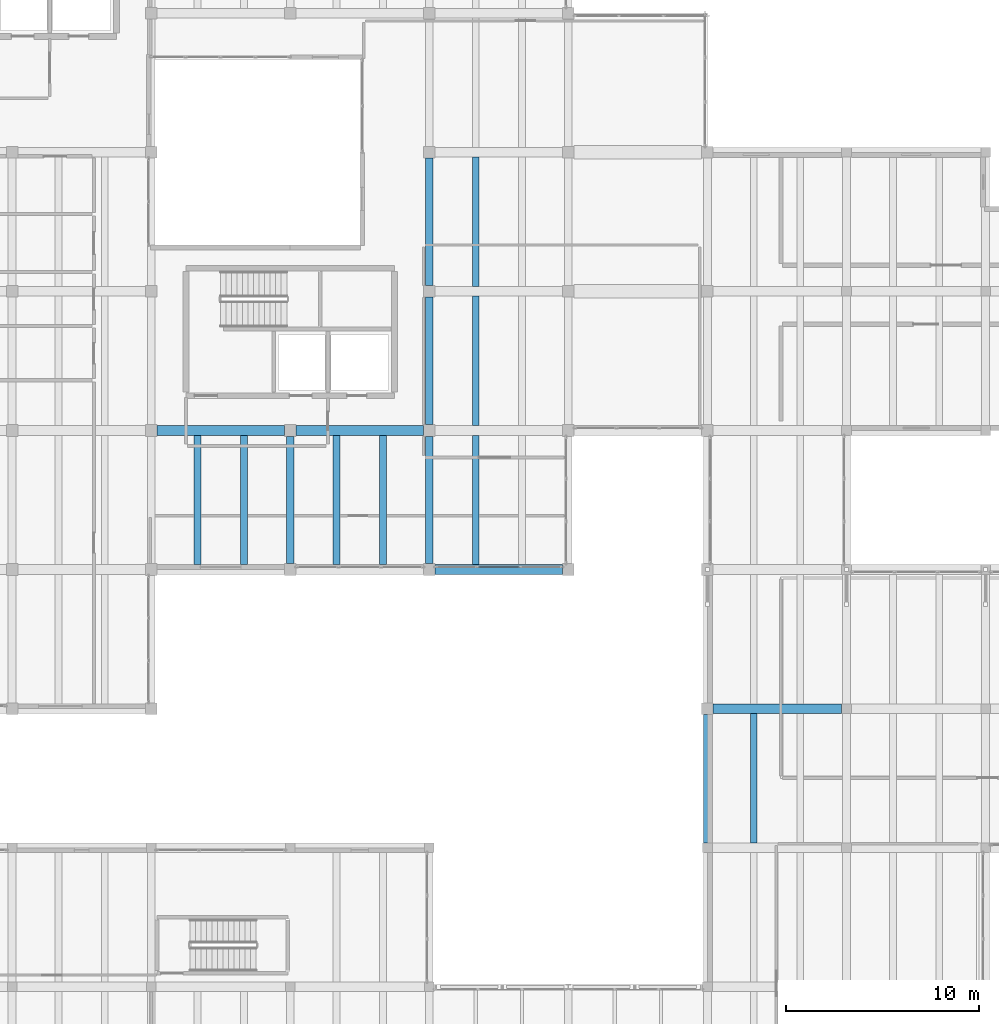
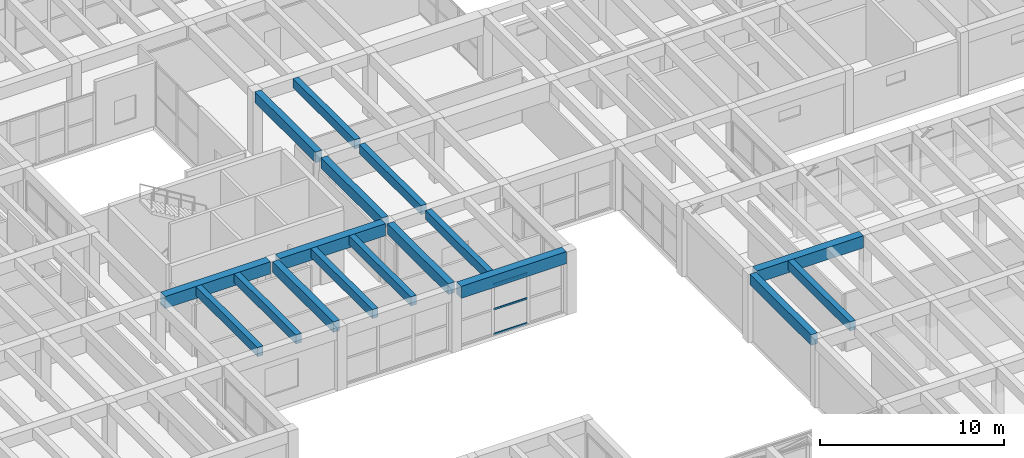
# One storey, part 67 of 153: 17 beams, 3 members, 1 element without a shape of its own.
"""IFC4 building model written with IfcOpenShell, lengths in metres."""

from ifc_helpers import new_model, si_unit, direction, frame, origin, origin_2d, place, context, subcontext, project, spatial, rectangle, hollow_rectangle, extrude, material, material_profile, profile_set, type_object, element, aggregate, save


model = new_model("IFC4")

# Units and contexts
model_context = context("Model", 3, precision=1e-05, world=origin(), true_north=direction((0.0, 1.0)))
body_context = subcontext(model_context, "Body", "Model", "MODEL_VIEW")
ifc_project = project(units=[si_unit("LENGTHUNIT", "METRE"), si_unit("AREAUNIT", "SQUARE_METRE"), si_unit("VOLUMEUNIT", "CUBIC_METRE"), si_unit("PLANEANGLEUNIT", "RADIAN"), si_unit("MASSUNIT", "GRAM", prefix="KILO")], contexts=[model_context])

# Site, building, storey
site_placement = place(None, origin())
site = spatial("IfcSite", under=ifc_project, at=site_placement, CompositionType="ELEMENT")
building_placement = place(site_placement, origin())
building = spatial("IfcBuilding", under=site, at=building_placement, Name="Bramvelor Terrace Health Centre", CompositionType="ELEMENT")
storey_placement = place(building_placement, frame((0.0, 0.0, 4.800048828125)))
storey = spatial("IfcBuildingStorey", under=building, at=storey_placement, Name="L02", CompositionType="ELEMENT", Elevation=4.800048828125)

# Beams
ifc_material_1 = material(Name="Concrete C40/50", Category="concrete")
ifc_material_profile_1 = material_profile(ifc_material_1, rectangle(XDim=0.39990234375, YDim=0.699951171875, at=origin_2d()), Name="RC 400x700")
ifc_profile_set_1 = profile_set([ifc_material_profile_1], Name="Concrete C40/50")
beam_type_1 = type_object("IfcBeamType", Name="BM-RC-G700", PredefinedType="BEAM", material=ifc_profile_set_1)
for number, where, z_axis, x_axis, name in (
    (1, (21.60009765625, 79.5, 3.849853515625), (0.0, 1.0, 0.0), (-1.0, 0.0, 0.0), "L02 Floor Girder"),
    (2, (28.800048828125, 79.5, 3.849853515625), (0.0, 1.0, 0.0), (-1.0, 0.0, 0.0), "L02 Floor Girder"),
    (3, (28.800048828125, 86.699951171875, 3.849853515625), (0.0, 1.0, 0.0), (-1.0, 0.0, 0.0), "L02 Floor Girder"),
    (4, (28.800048828125, 93.89990234375, 3.849853515625), (0.0, 1.0, 0.0), (-1.0, 0.0, 0.0), "L02 Floor Girder"),
):
    element("IfcBeam", number, at=place(storey_placement, frame(where, z_axis=z_axis, x_axis=x_axis)), inside=storey, type_object=beam_type_1, Name=name, PredefinedType="BEAM", context=body_context, shape_type="SweptSolid", body=[
        extrude(rectangle(XDim=0.39990234375, YDim=0.699951171875, at=origin_2d()), origin(), (0.0, 0.0, 1.0), 6.60009765625),
    ])
beam_1_placement = place(storey_placement, frame((43.199951171875, 65.050048828125, 4.199951171875), z_axis=(0.0, 1.0, 0.0), x_axis=(-1.0, 0.0, 0.0)))
element("IfcBeam", 5, at=beam_1_placement, inside=storey, type_object=beam_type_1, Name="L02 Floor Girder", PredefinedType="BEAM", context=body_context, shape_type="SweptSolid", body=[
    extrude(rectangle(XDim=0.39990234375, YDim=0.699951171875, at=origin_2d()), origin(), (0.0, 0.0, 1.0), 6.64990234375),
])
ifc_material_2 = material(Name="Concrete C40/50", Category="concrete")
ifc_material_profile_2 = material_profile(ifc_material_2, rectangle(XDim=0.5, YDim=0.800048828125, at=origin_2d()), Name="RC 500x800")
ifc_profile_set_2 = profile_set([ifc_material_profile_2], Name="Concrete C40/50")
beam_type_2 = type_object("IfcBeamType", Name="BM-RC-G800", PredefinedType="BEAM", material=ifc_profile_set_2)
for number, where, z_axis, x_axis, name in (
    (6, (14.699951171875, 86.39990234375, 3.800048828125), (1.0, 0.0, 0.0), (0.0, 1.0, 0.0), "L02 Floor Girder"),
    (7, (21.89990234375, 86.39990234375, 3.800048828125), (1.0, 0.0, 0.0), (0.0, 1.0, 0.0), "L02 Floor Girder"),
):
    element("IfcBeam", number, at=place(storey_placement, frame(where, z_axis=z_axis, x_axis=x_axis)), inside=storey, type_object=beam_type_2, Name=name, PredefinedType="BEAM", context=body_context, shape_type="SweptSolid", body=[
        extrude(rectangle(XDim=0.5, YDim=0.800048828125, at=origin_2d()), origin(), (0.0, 0.0, 1.0), 6.60009765625),
    ])
beam_2_placement = place(storey_placement, frame((29.10009765625, 79.199951171875, 3.800048828125), z_axis=(1.0, 0.0, 0.0), x_axis=(0.0, 1.0, 0.0)))
element("IfcBeam", 8, at=beam_2_placement, inside=storey, type_object=beam_type_2, Name="L02 Floor Girder", PredefinedType="BEAM", context=body_context, shape_type="SweptSolid", body=[
    extrude(rectangle(XDim=0.5, YDim=0.800048828125, at=origin_2d()), origin(), (0.0, 0.0, 1.0), 6.599853515625),
])
beam_3_placement = place(storey_placement, frame((43.5, 72.0, 4.14990234375), z_axis=(1.0, 0.0, 0.0), x_axis=(0.0, 1.0, 0.0)))
element("IfcBeam", 9, at=beam_3_placement, inside=storey, type_object=beam_type_2, Name="L02 Floor Girder", PredefinedType="BEAM", context=body_context, shape_type="SweptSolid", body=[
    extrude(rectangle(XDim=0.5, YDim=0.800048828125, at=origin_2d()), origin(), (0.0, 0.0, 1.0), 6.64990234375),
])
ifc_material_3 = material(Name="Concrete C40/50", Category="concrete")
ifc_material_profile_3 = material_profile(ifc_material_3, rectangle(XDim=0.35009765625, YDim=0.60009765625, at=origin_2d()), Name="RC 350x600")
ifc_profile_set_3 = profile_set([ifc_material_profile_3], Name="Concrete C40/50")
beam_type_3 = type_object("IfcBeamType", Name="BM-RC-J600", PredefinedType="JOIST", material=ifc_profile_set_3)
for number, where, z_axis, x_axis, name in (
    (10, (16.800048828125, 79.449951171875, 3.89990234375), (0.0, 1.0, 0.0), (-1.0, 0.0, 0.0), "L02 Secondary Floor Joist"),
    (11, (19.199951171875, 79.449951171875, 3.89990234375), (0.0, 1.0, 0.0), (-1.0, 0.0, 0.0), "L02 Secondary Floor Joist"),
    (12, (24.0, 79.449951171875, 3.89990234375), (0.0, 1.0, 0.0), (-1.0, 0.0, 0.0), "L02 Secondary Floor Joist"),
    (13, (26.39990234375, 79.449951171875, 3.89990234375), (0.0, 1.0, 0.0), (-1.0, 0.0, 0.0), "L02 Secondary Floor Joist"),
    (14, (31.199951171875, 79.449951171875, 3.89990234375), (0.0, 1.0, 0.0), (-1.0, 0.0, 0.0), "L02 Secondary Floor Joist"),
):
    element("IfcBeam", number, at=place(storey_placement, frame(where, z_axis=z_axis, x_axis=x_axis)), inside=storey, type_object=beam_type_3, Name=name, PredefinedType="JOIST", context=body_context, shape_type="SweptSolid", body=[
        extrude(rectangle(XDim=0.35009765625, YDim=0.60009765625, at=origin_2d()), origin(), (0.0, 0.0, 1.0), 6.699951171875),
    ])
beam_4_placement = place(storey_placement, frame((31.199951171875, 86.64990234375, 3.89990234375), z_axis=(0.0, 1.0, 0.0), x_axis=(-1.0, 0.0, 0.0)))
element("IfcBeam", 15, at=beam_4_placement, inside=storey, type_object=beam_type_3, Name="L02 Secondary Floor Joist", PredefinedType="JOIST", context=body_context, shape_type="SweptSolid", body=[
    extrude(rectangle(XDim=0.35009765625, YDim=0.60009765625, at=origin_2d()), origin(), (0.0, 0.0, 1.0), 6.7001953125),
])
for number, where, z_axis, x_axis, name in (
    (16, (31.199951171875, 93.85009765625, 3.89990234375), (0.0, 1.0, 0.0), (-1.0, 0.0, 0.0), "L02 Secondary Floor Joist"),
    (17, (45.60009765625, 65.050048828125, 4.25), (0.0, 1.0, 0.0), (-1.0, 0.0, 0.0), "L02 Secondary Floor Joist"),
):
    element("IfcBeam", number, at=place(storey_placement, frame(where, z_axis=z_axis, x_axis=x_axis)), inside=storey, type_object=beam_type_3, Name=name, PredefinedType="JOIST", context=body_context, shape_type="SweptSolid", body=[
        extrude(rectangle(XDim=0.35009765625, YDim=0.60009765625, at=origin_2d()), origin(), (0.0, 0.0, 1.0), 6.699951171875),
    ])

# Curtain wall, members
ifc_material_4 = material(Name="Anodized aluminium and double low-E glass", Category="aluminium")
curtain_wall_type = type_object("IfcCurtainWallType", Name="CW-SYS-12", PredefinedType="NOTDEFINED", material=ifc_material_4)
curtain_wall_placement = place(storey_placement, origin())
curtain_wall = element("IfcCurtainWall", 18, at=curtain_wall_placement, inside=storey, type_object=curtain_wall_type, Name="L02 Unitized Curtain Wall 73", PredefinedType="NOTDEFINED")
ifc_material_5 = material(Name="Anodized aluminium 6063-T6", Category="aluminium")
ifc_material_profile_4 = material_profile(ifc_material_5, hollow_rectangle(XDim=0.06494140625, YDim=0.1201171875, WallThickness=0.0029296875, at=origin_2d()), Name="ALU-TRN 65x120x3.0")
ifc_profile_set_4 = profile_set([ifc_material_profile_4], Name="Anodized aluminium 6063-T6")
member_type = type_object("IfcMemberType", Name="CW-TRN-65x150", PredefinedType="USERDEFINED", material=ifc_profile_set_4)
member_1_placement = place(storey_placement, frame((33.464111328125, 79.330078125, 0.032470703125), z_axis=(-1.0, 0.0, 0.0), x_axis=(0.0, -1.0, 0.0)))
member_1 = element("IfcMember", 19, at=member_1_placement, type_object=member_type, Name="CW-12 transom 2.1", ObjectType="TRANSOM", PredefinedType="USERDEFINED", context=body_context, shape_type="SweptSolid", body=[
    extrude(hollow_rectangle(XDim=0.06494140625, YDim=0.1201171875, WallThickness=0.0029296875, at=origin_2d()), origin(), (0.0, 0.0, 1.0), 2.128173828125),
])
member_2_placement = place(storey_placement, frame((33.464111328125, 79.330078125, 1.679931640625), z_axis=(-1.0, 0.0, 0.0), x_axis=(0.0, -1.0, 0.0)))
member_2 = element("IfcMember", 20, at=member_2_placement, type_object=member_type, Name="CW-12 transom 2.2", ObjectType="TRANSOM", PredefinedType="USERDEFINED", context=body_context, shape_type="SweptSolid", body=[
    extrude(hollow_rectangle(XDim=0.06494140625, YDim=0.1201171875, WallThickness=0.0029296875, at=origin_2d()), origin(), (0.0, 0.0, 1.0), 2.128173828125),
])
member_3_placement = place(storey_placement, frame((33.464111328125, 79.330078125, 3.327392578125), z_axis=(-1.0, 0.0, 0.0), x_axis=(0.0, -1.0, 0.0)))
member_3 = element("IfcMember", 21, at=member_3_placement, type_object=member_type, Name="CW-12 transom 2.3", ObjectType="TRANSOM", PredefinedType="USERDEFINED", context=body_context, shape_type="SweptSolid", body=[
    extrude(hollow_rectangle(XDim=0.06494140625, YDim=0.1201171875, WallThickness=0.0029296875, at=origin_2d()), origin(), (0.0, 0.0, 1.0), 2.128173828125),
])
aggregate(curtain_wall, [member_1, member_2, member_3])

save(model, "model.ifc")
